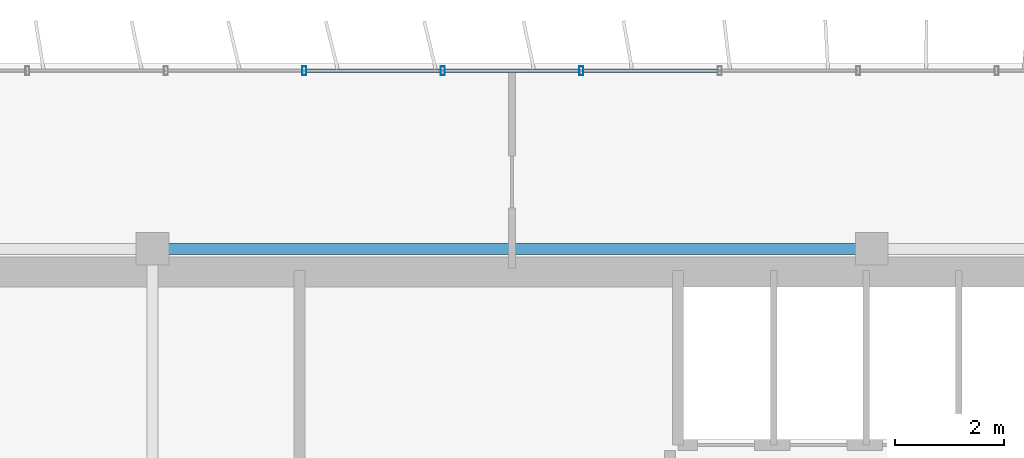
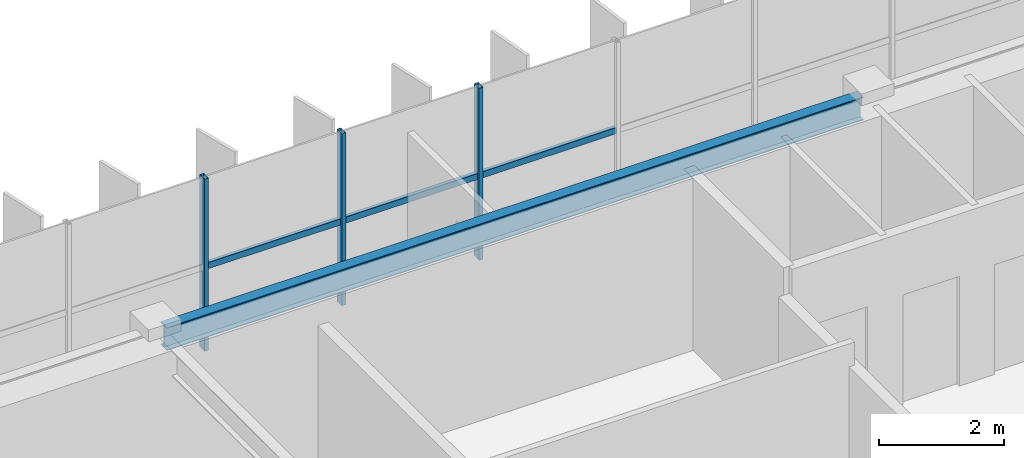
# One storey, part 9 of 22: 6 members, 1 beam, 1 element without a shape of its own.
"""IFC4 building model written with IfcOpenShell, lengths in metres."""

from ifc_helpers import new_model, si_unit, direction, frame, origin, origin_2d, place, context, subcontext, project, spatial, hollow_rectangle, i_section, extrude, source, transform, mapped, material, material_profile, profile_set, type_object, element, aggregate, save


model = new_model("IFC4")

# Units and contexts
model_context = context("Model", 3, precision=1e-05, world=origin(), true_north=direction((0.0, 1.0)))
body_context = subcontext(model_context, "Body", "Model", "MODEL_VIEW")
ifc_project = project(units=[si_unit("LENGTHUNIT", "METRE"), si_unit("AREAUNIT", "SQUARE_METRE"), si_unit("VOLUMEUNIT", "CUBIC_METRE"), si_unit("PLANEANGLEUNIT", "RADIAN"), si_unit("MASSUNIT", "GRAM", prefix="KILO")], contexts=[model_context])

# Site, building, storey
site_placement = place(None, origin())
site = spatial("IfcSite", under=ifc_project, at=site_placement, CompositionType="ELEMENT")
building_placement = place(site_placement, origin())
building = spatial("IfcBuilding", under=site, at=building_placement, Name="Trelvane Seafront Commons", CompositionType="ELEMENT")
storey_placement = place(building_placement, frame((0.0, 0.0, 273.89990234375)))
storey = spatial("IfcBuildingStorey", under=building, at=storey_placement, Name="L71", CompositionType="ELEMENT", Elevation=273.89990234375)

# Beam
ifc_material_1 = material(Name="Steel SM355 (S355)", Category="steel")
ifc_material_profile_1 = material_profile(ifc_material_1, i_section(OverallWidth=0.199951171875, OverallDepth=0.449951171875, WebThickness=0.009033203125, FlangeThickness=0.013916015625, at=origin_2d()), Name="H-450x200x9x14")
ifc_profile_set_1 = profile_set([ifc_material_profile_1], Name="Steel SM355 (S355)")
beam_type = type_object("IfcBeamType", Name="STR-SPD-H450", PredefinedType="SPANDREL", material=ifc_profile_set_1)
shared_shape_1 = source(origin(), body_context, "Body", "SweptSolid", [
    extrude(i_section(OverallWidth=0.199951171875, OverallDepth=0.449951171875, WebThickness=0.009033203125, FlangeThickness=0.013916015625, at=origin_2d()), origin(), (0.0, 0.0, 1.0), 12.89990234375),
])
beam_placement = place(storey_placement, frame((30.75, 45.10009765625, 3.14501953125), z_axis=(1.0, 0.0, 0.0), x_axis=(0.0, 1.0, 0.0)))
element("IfcBeam", 1, at=beam_placement, inside=storey, type_object=beam_type, Name="L71 Primary Girder G-25", PredefinedType="SPANDREL", context=body_context, shape_type="MappedRepresentation", body=[
    mapped(shared_shape_1, transform((0.0, 0.0, 0.0), x_axis=(1.0, 0.0, 0.0), y_axis=(0.0, 1.0, 0.0), z_axis=(0.0, 0.0, 1.0), scale=1.0)),
])

# Curtain wall, members
ifc_material_2 = material(Name="Anodised pale-silver aluminium", Category="aluminium")
curtain_wall_type = type_object("IfcCurtainWallType", Name="ARCH-CW5-UPTOWER", PredefinedType="NOTDEFINED", material=ifc_material_2)
curtain_wall_placement = place(storey_placement, origin())
curtain_wall = element("IfcCurtainWall", 2, at=curtain_wall_placement, inside=storey, type_object=curtain_wall_type, Name="CW-L71-0115", PredefinedType="NOTDEFINED")
ifc_material_profile_2 = material_profile(ifc_material_2, hollow_rectangle(XDim=0.070068359375, YDim=0.1201171875, WallThickness=0.00390625, at=origin_2d()), Name="TRAN-70x120x4")
ifc_profile_set_2 = profile_set([ifc_material_profile_2], Name="Anodised pale-silver aluminium")
member_type_1 = type_object("IfcMemberType", Name="ARCH-CW-TRAN-120", PredefinedType="USERDEFINED", material=ifc_profile_set_2)
shared_shape_2 = source(origin(), body_context, "Body", "SweptSolid", [
    extrude(hollow_rectangle(XDim=0.070068359375, YDim=0.1201171875, WallThickness=0.00390625, at=origin_2d()), origin(), (0.0, 0.0, 1.0), 2.51708984375),
])
member_1_placement = place(storey_placement, frame((35.94140625, 48.3701171875, 1.6181640625), z_axis=(1.0, 0.0, 0.0), x_axis=(0.0, 1.0, 0.0)))
member_1 = element("IfcMember", 3, at=member_1_placement, type_object=member_type_1, Name="CW-L71-0115-T08", ObjectType="TRANSOM", PredefinedType="USERDEFINED", context=body_context, shape_type="MappedRepresentation", body=[
    mapped(shared_shape_2, transform((0.0, 0.0, 0.0), x_axis=(1.0, 0.0, 0.0), y_axis=(0.0, 1.0, 0.0), z_axis=(0.0, 0.0, 1.0), scale=1.0)),
])
member_2_placement = place(storey_placement, frame((38.482666015625, 48.3701171875, 1.6181640625), z_axis=(1.0, 0.0, 0.0), x_axis=(0.0, 1.0, 0.0)))
member_2 = element("IfcMember", 4, at=member_2_placement, type_object=member_type_1, Name="CW-L71-0115-T09", ObjectType="TRANSOM", PredefinedType="USERDEFINED", context=body_context, shape_type="MappedRepresentation", body=[
    mapped(shared_shape_2, transform((0.0, 0.0, 0.0), x_axis=(1.0, 0.0, 0.0), y_axis=(0.0, 1.0, 0.0), z_axis=(0.0, 0.0, 1.0), scale=1.0)),
])
shared_shape_3 = source(origin(), body_context, "Body", "SweptSolid", [
    extrude(hollow_rectangle(XDim=0.070068359375, YDim=0.1201171875, WallThickness=0.00390625, at=origin_2d()), origin(), (0.0, 0.0, 1.0), 2.517333984375),
])
member_3_placement = place(storey_placement, frame((33.400146484375, 48.3701171875, 1.6181640625), z_axis=(1.0, 0.0, 0.0), x_axis=(0.0, 1.0, 0.0)))
member_3 = element("IfcMember", 5, at=member_3_placement, type_object=member_type_1, Name="CW-L71-0115-T07", ObjectType="TRANSOM", PredefinedType="USERDEFINED", context=body_context, shape_type="MappedRepresentation", body=[
    mapped(shared_shape_3, transform((0.0, 0.0, 0.0), x_axis=(1.0, 0.0, 0.0), y_axis=(0.0, 1.0, 0.0), z_axis=(0.0, 0.0, 1.0), scale=1.0)),
])
ifc_material_profile_3 = material_profile(ifc_material_2, hollow_rectangle(XDim=0.074951171875, YDim=0.159912109375, WallThickness=0.00390625, at=origin_2d()), Name="MULL-75x160x4")
ifc_profile_set_3 = profile_set([ifc_material_profile_3], Name="Anodised pale-silver aluminium")
member_type_2 = type_object("IfcMemberType", Name="ARCH-CW-MULL-160", PredefinedType="MULLION", material=ifc_profile_set_3)
shared_shape_4 = source(origin(), body_context, "Body", "SweptSolid", [
    extrude(hollow_rectangle(XDim=0.074951171875, YDim=0.159912109375, WallThickness=0.00390625, at=origin_2d()), origin(), (0.0, 0.0, 1.0), 3.3701171875),
])
member_4_placement = place(storey_placement, frame((33.38818359375, 48.3701171875, 0.0), z_axis=(0.0, 0.0, 1.0), x_axis=(1.0, 0.0, 0.0)))
member_4 = element("IfcMember", 6, at=member_4_placement, type_object=member_type_2, Name="CW-L71-0115-M07", PredefinedType="MULLION", context=body_context, shape_type="MappedRepresentation", body=[
    mapped(shared_shape_4, transform((0.0, 0.0, 0.0), x_axis=(1.0, 0.0, 0.0), y_axis=(0.0, 1.0, 0.0), z_axis=(0.0, 0.0, 1.0), scale=1.0)),
])
member_5_placement = place(storey_placement, frame((35.929443359375, 48.3701171875, 0.0), z_axis=(0.0, 0.0, 1.0), x_axis=(1.0, 0.0, 0.0)))
member_5 = element("IfcMember", 7, at=member_5_placement, type_object=member_type_2, Name="CW-L71-0115-M08", PredefinedType="MULLION", context=body_context, shape_type="MappedRepresentation", body=[
    mapped(shared_shape_4, transform((0.0, 0.0, 0.0), x_axis=(1.0, 0.0, 0.0), y_axis=(0.0, 1.0, 0.0), z_axis=(0.0, 0.0, 1.0), scale=1.0)),
])
member_6_placement = place(storey_placement, frame((38.470703125, 48.3701171875, 0.0), z_axis=(0.0, 0.0, 1.0), x_axis=(1.0, 0.0, 0.0)))
member_6 = element("IfcMember", 8, at=member_6_placement, type_object=member_type_2, Name="CW-L71-0115-M09", PredefinedType="MULLION", context=body_context, shape_type="MappedRepresentation", body=[
    mapped(shared_shape_4, transform((0.0, 0.0, 0.0), x_axis=(1.0, 0.0, 0.0), y_axis=(0.0, 1.0, 0.0), z_axis=(0.0, 0.0, 1.0), scale=1.0)),
])
aggregate(curtain_wall, [member_4, member_5, member_6, member_3, member_1, member_2])

save(model, "model.ifc")
